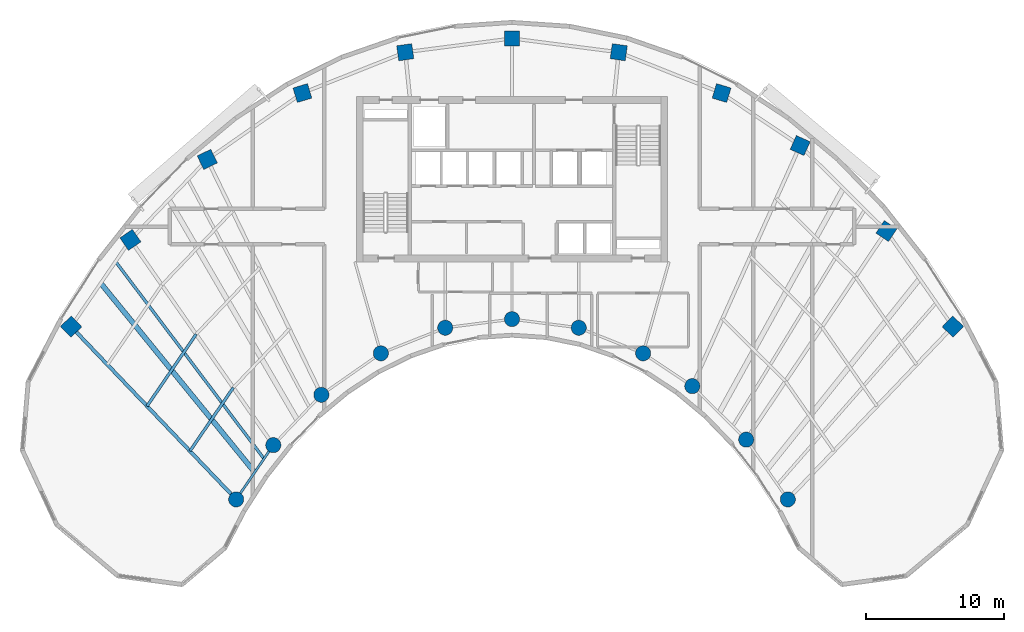
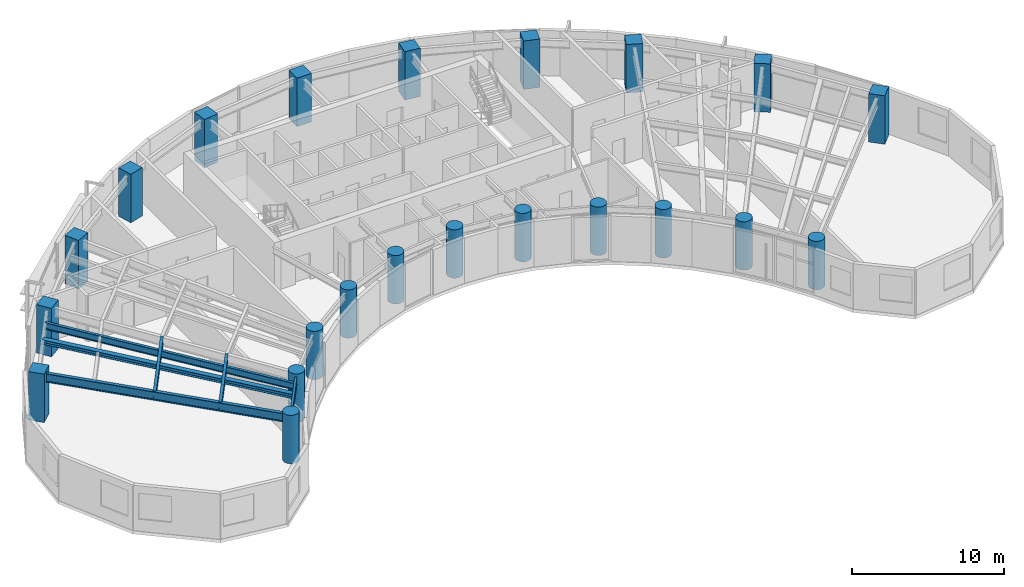
# One storey, part 1 of 13: 22 columns, 6 beams.
"""IFC4 building model written with IfcOpenShell, lengths in metres."""

from ifc_helpers import new_model, si_unit, direction, frame, origin, origin_2d, place, context, subcontext, project, spatial, rectangle, circle, i_section, extrude, source, transform, mapped, material, material_profile, profile_set, type_object, type_shapes, element, save


model = new_model("IFC4")

# Units and contexts
model_context = context("Model", 3, precision=1e-05, world=origin(), true_north=direction((0.0, 1.0)))
body_context = subcontext(model_context, "Body", "Model", "MODEL_VIEW")
ifc_project = project(units=[si_unit("LENGTHUNIT", "METRE"), si_unit("AREAUNIT", "SQUARE_METRE"), si_unit("VOLUMEUNIT", "CUBIC_METRE"), si_unit("PLANEANGLEUNIT", "RADIAN"), si_unit("MASSUNIT", "GRAM", prefix="KILO")], contexts=[model_context])

# Site, building, storey
site_placement = place(None, origin())
site = spatial("IfcSite", under=ifc_project, at=site_placement, CompositionType="ELEMENT")
building_placement = place(site_placement, origin())
building = spatial("IfcBuilding", under=site, at=building_placement, Name="Breltana Convention Tower", CompositionType="ELEMENT")
storey_placement = place(building_placement, frame((0.0, 0.0, 181.800048828125)))
storey = spatial("IfcBuildingStorey", under=building, at=storey_placement, Name="L44", CompositionType="ELEMENT", Elevation=181.800048828125)

# Columns
ifc_material_1 = material(Name="Concrete C60/75", Category="concrete")
ifc_material_profile_1 = material_profile(ifc_material_1, rectangle(XDim=1.10009765625, YDim=1.10009765625, at=origin_2d()), Name="RC-COL-1100X1100")
ifc_profile_set_1 = profile_set([ifc_material_profile_1], Name="Concrete C60/75")
column_type_1 = type_object("IfcColumnType", Name="COL-RC-1100", PredefinedType="COLUMN", material=ifc_profile_set_1)
shared_shape_1 = source(origin(), body_context, "Body", "SweptSolid", [
    extrude(rectangle(XDim=1.10009765625, YDim=1.10009765625, at=origin_2d()), origin(), (0.0, 0.0, 1.0), 3.89990234375),
])
for number, where, z_axis, x_axis, name in (
    (1, (16.0068359375, 55.494384765625, 0.0), (0.0, 0.0, 1.0), (-0.690756218984, 0.723087716626, 0.0), "L44 Tower Column R01-OUT"),
    (2, (20.310791015625, 61.78857421875, 0.0), (0.0, 0.0, 1.0), (-0.571143442153, 0.820850271661, 0.0), "L44 Tower Column R02-OUT"),
    (3, (25.8876953125, 67.626953125, 0.0), (0.0, 0.0, 1.0), (-0.436173672171, 0.899862504889, 0.0), "L44 Tower Column R03-OUT"),
    (4, (32.791015625, 72.4423828125, 0.0), (0.0, 0.0, 1.0), (-0.288697611798, 0.957420330337, 0.0), "L44 Tower Column R04-OUT"),
    (5, (40.253173828125, 75.404296875, 0.0), (0.0, 0.0, 1.0), (-0.143492621991, 0.98965138682, 0.0), "L44 Tower Column R05-OUT"),
    (6, (48.0, 76.404052734375, 0.0), (0.0, 0.0, 1.0), (0.0, 1.0, 0.0), "L44 Tower Column R06-OUT"),
    (7, (55.746826171875, 75.404296875, 0.0), (0.0, 0.0, 1.0), (0.143492621991, 0.98965138682, 0.0), "L44 Tower Column R07-OUT"),
    (8, (63.208984375, 72.4423828125, 0.0), (0.0, 0.0, 1.0), (0.288697611798, 0.957420330337, 0.0), "L44 Tower Column R08-OUT"),
    (9, (68.910400390625, 68.63330078125, 0.0), (0.0, 0.0, 1.0), (0.409126902895, 0.912477494148, 0.0), "L44 Tower Column R09-OUT"),
    (10, (75.166748046875, 62.43017578125, 0.0), (0.0, 0.0, 1.0), (0.55774510898, 0.830012285095, 0.0), "L44 Tower Column R10-OUT"),
    (11, (79.9931640625, 55.494384765625, 0.0), (0.0, 0.0, 1.0), (0.690756218984, 0.723087716626, 0.0), "L44 Tower Column R11-OUT"),
):
    element("IfcColumn", number, at=place(storey_placement, frame(where, z_axis=z_axis, x_axis=x_axis)), inside=storey, type_object=column_type_1, Name=name, PredefinedType="COLUMN", context=body_context, shape_type="MappedRepresentation", body=[
        mapped(shared_shape_1, transform((0.0, 0.0, 0.0), scale=1.0)),
    ])
ifc_material_2 = material(Name="Concrete C50/60", Category="concrete")
ifc_material_profile_2 = material_profile(ifc_material_2, circle(Radius=0.550048828125, at=origin_2d()), Name="RC-COL-D1100")
ifc_profile_set_2 = profile_set([ifc_material_profile_2], Name="Concrete C50/60")
column_type_2 = type_object("IfcColumnType", Name="COL-RC-D1100", PredefinedType="COLUMN", material=ifc_profile_set_2)
shared_shape_2 = source(origin(), body_context, "Body", "SweptSolid", [
    extrude(circle(Radius=0.550048828125, at=origin_2d()), origin(), (0.0, 0.0, 1.0), 3.89990234375),
])
for number, where, z_axis, x_axis, name in (
    (12, (27.984619140625, 42.95458984375, 0.0), (0.0, 0.0, 1.0), (-0.690756218984, 0.723087716626, 0.0), "L44 Tower Column R01-IN"),
    (13, (30.67724609375, 46.892333984375, 0.0), (0.0, 0.0, 1.0), (-0.571143442153, 0.820850271661, 0.0), "L44 Tower Column R02-IN"),
    (14, (34.166259765625, 50.544921875, 0.0), (0.0, 0.0, 1.0), (-0.436173672171, 0.899862504889, 0.0), "L44 Tower Column R03-IN"),
    (15, (38.485107421875, 53.5576171875, 0.0), (0.0, 0.0, 1.0), (-0.288697611798, 0.957420330337, 0.0), "L44 Tower Column R04-IN"),
    (16, (43.153564453125, 55.41064453125, 0.0), (0.0, 0.0, 1.0), (-0.143492621991, 0.98965138682, 0.0), "L44 Tower Column R05-IN"),
    (17, (48.0, 56.035888671875, 0.0), (0.0, 0.0, 1.0), (0.0, 1.0, 0.0), "L44 Tower Column R06-IN"),
    (18, (52.846435546875, 55.41064453125, 0.0), (0.0, 0.0, 1.0), (0.143492621991, 0.98965138682, 0.0), "L44 Tower Column R07-IN"),
    (19, (57.514892578125, 53.5576171875, 0.0), (0.0, 0.0, 1.0), (0.288697611798, 0.957420330337, 0.0), "L44 Tower Column R08-IN"),
    (20, (61.08203125, 51.174560546875, 0.0), (0.0, 0.0, 1.0), (0.409126902895, 0.912477494148, 0.0), "L44 Tower Column R09-IN"),
    (21, (64.995849609375, 47.293701171875, 0.0), (0.0, 0.0, 1.0), (0.55774510898, 0.830012285095, 0.0), "L44 Tower Column R10-IN"),
    (22, (68.015380859375, 42.95458984375, 0.0), (0.0, 0.0, 1.0), (0.690756218984, 0.723087716626, 0.0), "L44 Tower Column R11-IN"),
):
    element("IfcColumn", number, at=place(storey_placement, frame(where, z_axis=z_axis, x_axis=x_axis)), inside=storey, type_object=column_type_2, Name=name, PredefinedType="COLUMN", context=body_context, shape_type="MappedRepresentation", body=[
        mapped(shared_shape_2, transform((0.0, 0.0, 0.0), scale=1.0)),
    ])

# Beams
ifc_material_3 = material(Name="Steel ASTM A992 Grade 50", Category="steel")
ifc_material_profile_3 = material_profile(ifc_material_3, i_section(OverallWidth=0.2099609375, OverallDepth=0.537109375, WebThickness=0.010986328125, FlangeThickness=0.017333984375, at=origin_2d()), Name="W21X68")
ifc_profile_set_3 = profile_set([ifc_material_profile_3], Name="Steel ASTM A992 Grade 50")
beam_type_1 = type_object("IfcBeamType", Name="BM-JSG-04", PredefinedType="JOIST", material=ifc_profile_set_3)
shared_shape_3 = source(origin(), body_context, "Body", "SweptSolid", [
    extrude(i_section(OverallWidth=0.2099609375, OverallDepth=0.537109375, WebThickness=0.010986328125, FlangeThickness=0.017333984375, at=origin_2d()), origin(), (0.0, 0.0, 1.0), 5.569580078125),
])
type_shapes(beam_type_1, [shared_shape_3])
beam_1_placement = place(storey_placement, frame((24.630615234375, 46.4658203125, 3.38134765625), z_axis=(0.564493760458, 0.825437335237, 0.0), x_axis=(-0.825437335237, 0.564493760458, 0.0)))
element("IfcBeam", 23, at=beam_1_placement, inside=storey, type_object=beam_type_1, Name="L44 Composite Floor Joist 01.1", PredefinedType="JOIST", context=body_context, shape_type="MappedRepresentation", body=[
    mapped(shared_shape_3, transform((0.0, 0.0, 0.0), scale=1.0)),
])
shared_shape_4 = source(origin(), body_context, "Body", "SweptSolid", [
    extrude(i_section(OverallWidth=0.2099609375, OverallDepth=0.537109375, WebThickness=0.010986328125, FlangeThickness=0.017333984375, at=origin_2d()), origin(), (0.0, 0.0, 1.0), 6.311767578125),
])
beam_2_placement = place(storey_placement, frame((21.5166015625, 49.72607421875, 3.38134765625), z_axis=(0.564453712577, 0.825464721449, 0.0), x_axis=(-0.825464721449, 0.564453712577, 0.0)))
element("IfcBeam", 24, at=beam_2_placement, inside=storey, type_object=beam_type_1, Name="L44 Composite Floor Joist 01.2", PredefinedType="JOIST", context=body_context, shape_type="MappedRepresentation", body=[
    mapped(shared_shape_4, transform((0.0, 0.0, 0.0), scale=1.0)),
])
ifc_material_profile_4 = material_profile(ifc_material_3, i_section(OverallWidth=0.368896484375, OverallDepth=0.35595703125, WebThickness=0.01123046875, FlangeThickness=0.01806640625, at=origin_2d()), Name="W14X90")
ifc_profile_set_4 = profile_set([ifc_material_profile_4], Name="Steel ASTM A992 Grade 50")
beam_type_2 = type_object("IfcBeamType", Name="BM-JSG-09", PredefinedType="JOIST", material=ifc_profile_set_4)
shared_shape_5 = source(origin(), body_context, "Body", "SweptSolid", [
    extrude(i_section(OverallWidth=0.368896484375, OverallDepth=0.35595703125, WebThickness=0.01123046875, FlangeThickness=0.01806640625, at=origin_2d()), origin(), (0.0, 0.0, 1.0), 17.691650390625),
])
type_shapes(beam_type_2, [shared_shape_5])
beam_3_placement = place(storey_placement, frame((29.330810546875, 44.923583984375, 3.471923828125), z_axis=(-0.631476958478, 0.775394642044, 0.0), x_axis=(-0.775394642044, -0.631476958478, 0.0)))
element("IfcBeam", 25, at=beam_3_placement, inside=storey, type_object=beam_type_2, Name="L44 Mid-Bay Radial Trimmer 01", PredefinedType="JOIST", context=body_context, shape_type="MappedRepresentation", body=[
    mapped(shared_shape_5, transform((0.0, 0.0, 0.0), scale=1.0)),
])
shared_shape_6 = source(origin(), body_context, "Body", "SweptSolid", [
    extrude(i_section(OverallWidth=0.2099609375, OverallDepth=0.537109375, WebThickness=0.010986328125, FlangeThickness=0.017333984375, at=origin_2d()), origin(), (0.0, 0.0, 1.0), 17.9072265625),
])
beam_4_placement = place(storey_placement, frame((30.00390625, 45.907958984375, 3.38134765625), z_axis=(-0.601382105028, 0.798961553363, 0.0), x_axis=(-0.798961553363, -0.601382105028, 0.0)))
element("IfcBeam", 26, at=beam_4_placement, inside=storey, type_object=beam_type_1, Name="L44 Quarter-Bay Radial Trimmer 01", PredefinedType="JOIST", context=body_context, shape_type="MappedRepresentation", body=[
    mapped(shared_shape_6, transform((0.0, 0.0, 0.0), scale=1.0)),
])
ifc_material_profile_5 = material_profile(ifc_material_3, i_section(OverallWidth=0.25390625, OverallDepth=0.68798828125, WebThickness=0.01318359375, FlangeThickness=0.02099609375, at=origin_2d()), Name="W27X102")
ifc_profile_set_5 = profile_set([ifc_material_profile_5], Name="Steel ASTM A992 Grade 50")
beam_type_3 = type_object("IfcBeamType", Name="BM-RG-W27X102", PredefinedType="USERDEFINED", material=ifc_profile_set_5)
shared_shape_7 = source(origin(), body_context, "Body", "SweptSolid", [
    extrude(i_section(OverallWidth=0.25390625, OverallDepth=0.68798828125, WebThickness=0.01318359375, FlangeThickness=0.02099609375, at=origin_2d()), origin(), (0.0, 0.0, 1.0), 17.341064453125),
])
type_shapes(beam_type_3, [shared_shape_7])
beam_5_placement = place(storey_placement, frame((27.984619140625, 42.95458984375, 3.305908203125), z_axis=(-0.690716462293, 0.723125693581, 0.0), x_axis=(-0.723125693581, -0.690716462293, 0.0)))
element("IfcBeam", 27, at=beam_5_placement, inside=storey, type_object=beam_type_3, Name="L44 Radial Floor Girder R01", ObjectType="GIRDER", PredefinedType="USERDEFINED", context=body_context, shape_type="MappedRepresentation", body=[
    mapped(shared_shape_7, transform((0.0, 0.0, 0.0), scale=1.0)),
])
ifc_material_profile_6 = material_profile(ifc_material_3, i_section(OverallWidth=0.166015625, OverallDepth=0.534912109375, WebThickness=0.01025390625, FlangeThickness=0.0166015625, at=origin_2d()), Name="W21X57")
ifc_profile_set_6 = profile_set([ifc_material_profile_6], Name="Steel ASTM A992 Grade 50")
beam_type_4 = type_object("IfcBeamType", Name="BM-BM-W21X57", PredefinedType="BEAM", material=ifc_profile_set_6)
shared_shape_8 = source(origin(), body_context, "Body", "SweptSolid", [
    extrude(i_section(OverallWidth=0.166015625, OverallDepth=0.534912109375, WebThickness=0.01025390625, FlangeThickness=0.0166015625, at=origin_2d()), origin(), (0.0, 0.0, 1.0), 4.770263671875),
])
beam_6_placement = place(storey_placement, frame((27.984619140625, 42.95458984375, 3.382568359375), z_axis=(0.564452719055, 0.82546540082, 0.0), x_axis=(-0.82546540082, 0.564452719055, 0.0)))
element("IfcBeam", 28, at=beam_6_placement, inside=storey, type_object=beam_type_4, Name="L44 Inner Ring Beam 01", PredefinedType="BEAM", context=body_context, shape_type="MappedRepresentation", body=[
    mapped(shared_shape_8, transform((0.0, 0.0, 0.0), scale=1.0)),
])

save(model, "model.ifc")
